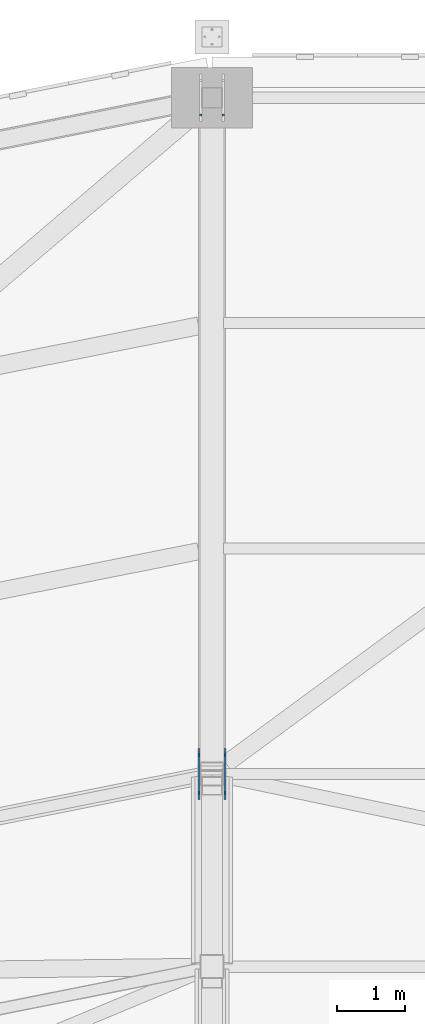
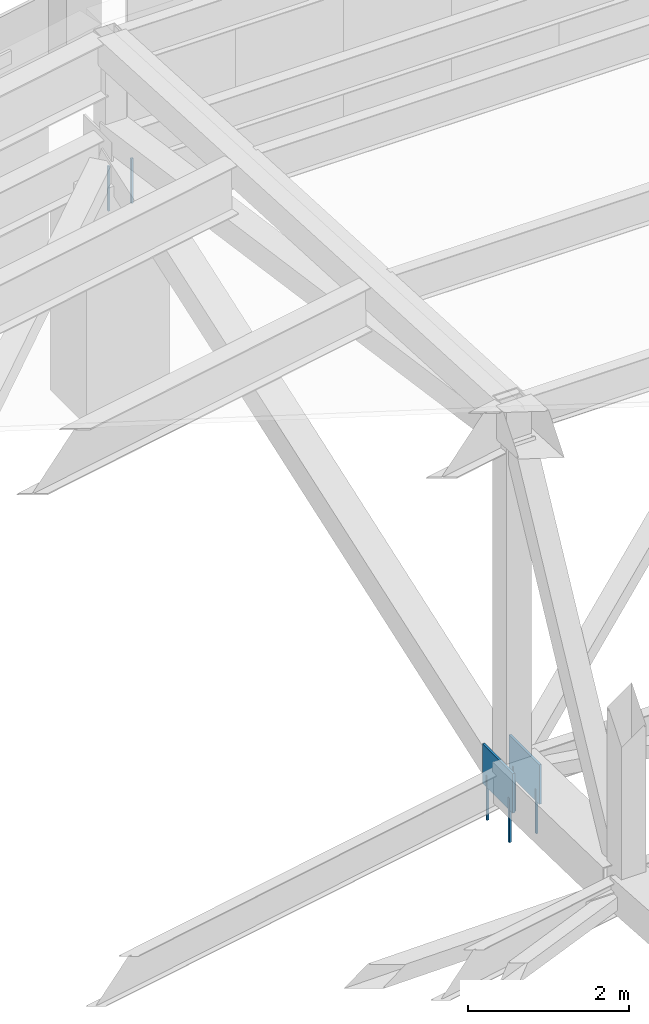
# One storey, part 229 of 278: 6 mechanical fasteners, 2 discrete accessories.
"""IFC4 building model written with IfcOpenShell, lengths in metres."""

from ifc_helpers import new_model, si_unit, direction, frame, origin, origin_2d, place, context, subcontext, project, spatial, rectangle, extrude, material, layer, layer_set, type_object, element, save


model = new_model("IFC4")

# Units and contexts
model_context = context("Model", 3, precision=1e-05, world=origin(), true_north=direction((0.0, 1.0)))
body_context = subcontext(model_context, "Body", "Model", "MODEL_VIEW")
ifc_project = project(units=[si_unit("LENGTHUNIT", "METRE"), si_unit("AREAUNIT", "SQUARE_METRE"), si_unit("VOLUMEUNIT", "CUBIC_METRE"), si_unit("PLANEANGLEUNIT", "RADIAN"), si_unit("MASSUNIT", "GRAM", prefix="KILO")], contexts=[model_context])

# Site, building, storey
site_placement = place(None, origin())
site = spatial("IfcSite", under=ifc_project, at=site_placement, CompositionType="ELEMENT")
building_placement = place(site_placement, origin())
building = spatial("IfcBuilding", under=site, at=building_placement, Name="Ogive Plaza Stadium", CompositionType="ELEMENT")
storey_placement = place(building_placement, frame((0.0, 0.0, 29.0)))
storey = spatial("IfcBuildingStorey", under=building, at=storey_placement, Name="Roof", CompositionType="ELEMENT", Elevation=29.0)

# Mechanical fasteners
ifc_material_1 = material(Name="Steel ASTM A992 Grade 50", Category="steel")
mechanical_fastener_type = type_object("IfcMechanicalFastenerType", Name="Anchor bolt M30 x 600", PredefinedType="ANCHORBOLT", material=ifc_material_1)
for number, where, z_axis, x_axis, name in (
    (1, (-34.19189453125, 92.77783203125, -0.5), (0.0, 0.0, 1.0), (0.0, 1.0, 0.0), "ANCHOR BOLT 32 BP 1.1"),
    (2, (-34.19189453125, 92.22216796875, -0.5), (0.0, 0.0, 1.0), (0.0, 1.0, 0.0), "ANCHOR BOLT 32 BP 1.2"),
    (3, (-33.80810546875, 92.77783203125, -0.5), (0.0, 0.0, 1.0), (0.0, 1.0, 0.0), "ANCHOR BOLT 32 BP 2.1"),
    (4, (-33.80810546875, 92.22216796875, -0.5), (0.0, 0.0, 1.0), (0.0, 1.0, 0.0), "ANCHOR BOLT 32 BP 2.2"),
    (5, (-34.16650390625, 102.24755859375, 3.0), (0.0, 0.0, 1.0), (0.0, 1.0, 0.0), "ANCHOR BOLT 32 BF 1.2"),
    (6, (-33.83349609375, 102.24755859375, 3.0), (0.0, 0.0, 1.0), (0.0, 1.0, 0.0), "ANCHOR BOLT 32 BF 2.2"),
):
    element("IfcMechanicalFastener", number, at=place(storey_placement, frame(where, z_axis=z_axis, x_axis=x_axis)), inside=storey, type_object=mechanical_fastener_type, Name=name, PredefinedType="ANCHORBOLT", context=body_context, shape_type="SweptSolid", body=[
        extrude(rectangle(XDim=0.030029296875, YDim=0.030029296875, at=origin_2d()), origin(), (0.0, 0.0, 1.0), 0.679931640625),
    ])

# Discrete accessories
ifc_material_2 = material(Name="Steel ASTM A992 Grade 50", Category="steel")
ifc_layer = layer(ifc_material_2, 0.030029296875)
ifc_layer_set = layer_set([ifc_layer], Name="Steel ASTM A992 Grade 50")
discrete_accessory_type = type_object("IfcDiscreteAccessoryType", Name="Truss root foot cleat plate 30", PredefinedType="ANCHORPLATE", material=ifc_layer_set)
for number, where, z_axis, x_axis, name in (
    (7, (-34.19189453125, 92.5, 0.0), (0.0, 0.0, 1.0), (0.0, 1.0, 0.0), "TRUSS ROOT FOOT CLEAT PLATE 32 1"),
    (8, (-33.80810546875, 92.5, 0.0), (0.0, 0.0, 1.0), (0.0, 1.0, 0.0), "TRUSS ROOT FOOT CLEAT PLATE 32 2"),
):
    element("IfcDiscreteAccessory", number, at=place(storey_placement, frame(where, z_axis=z_axis, x_axis=x_axis)), inside=storey, type_object=discrete_accessory_type, Name=name, PredefinedType="ANCHORPLATE", context=body_context, shape_type="SweptSolid", body=[
        extrude(rectangle(XDim=0.755615234375, YDim=0.030029296875, at=origin_2d()), origin(), (0.0, 0.0, 1.0), 0.60009765625),
    ])

save(model, "model.ifc")
